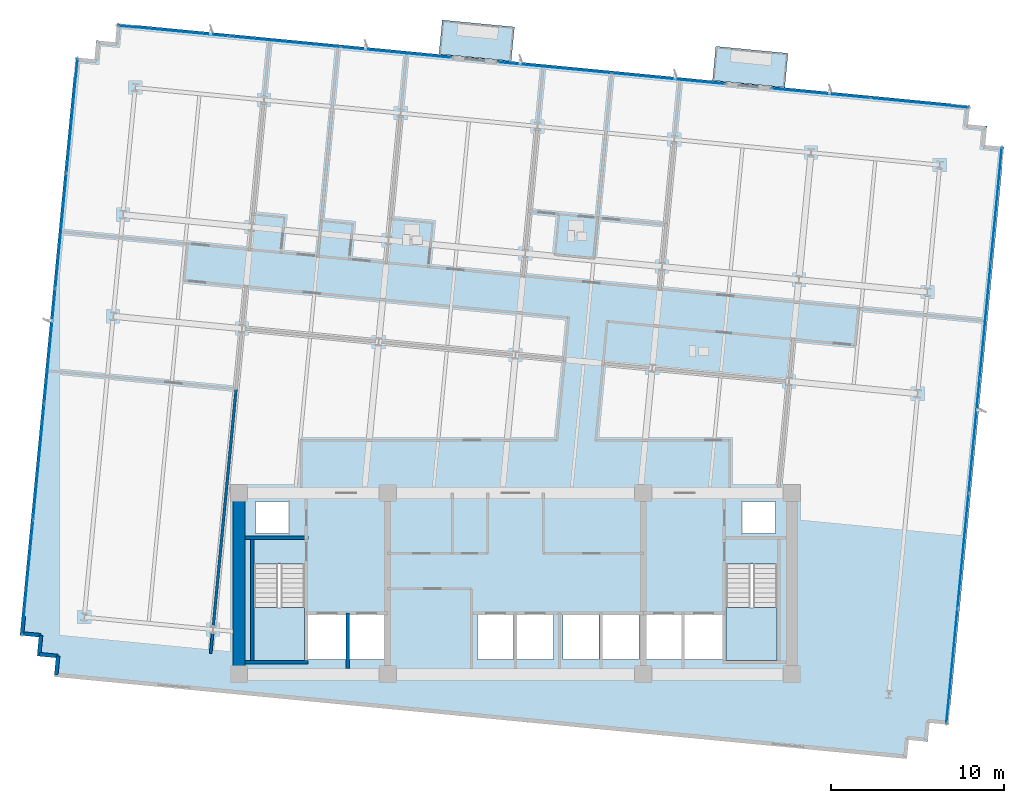
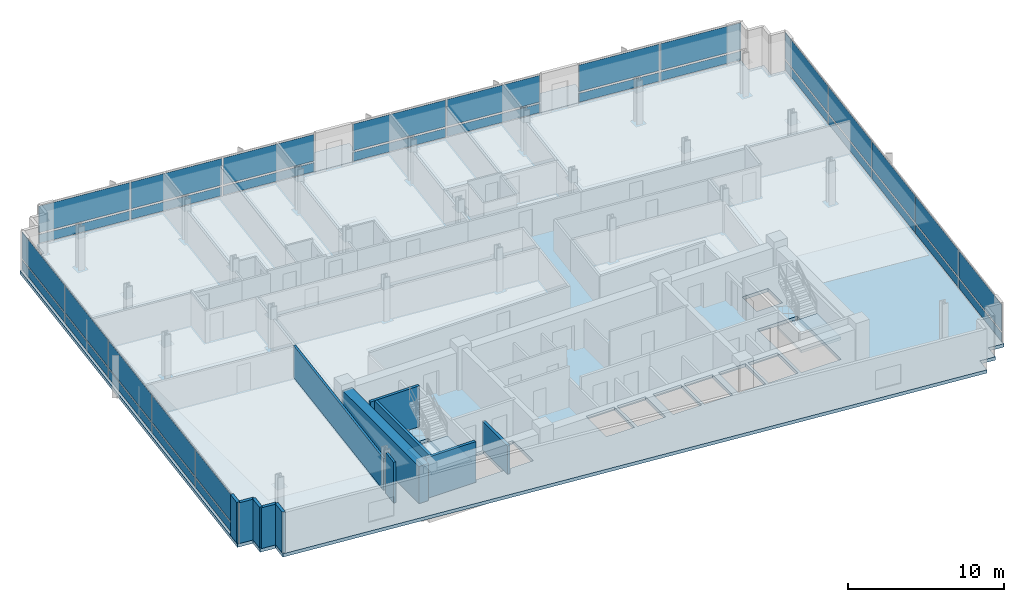
# One storey, part 9 of 17: 34 plates, 12 walls, 5 slabs, 7 elements without a shape of their own.
"""IFC4 building model written with IfcOpenShell, lengths in metres."""

from ifc_helpers import new_model, si_unit, direction, frame, frame_2d, origin, origin_2d, place, context, subcontext, project, spatial, polyline, rectangle, outline, extrude, material, layer, layer_set, type_object, element, aggregate, save


model = new_model("IFC4")

# Units and contexts
model_context = context("Model", 3, precision=1e-05, world=origin(), true_north=direction((0.0, 1.0)))
body_context = subcontext(model_context, "Body", "Model", "MODEL_VIEW")
ifc_project = project(units=[si_unit("LENGTHUNIT", "METRE"), si_unit("AREAUNIT", "SQUARE_METRE"), si_unit("VOLUMEUNIT", "CUBIC_METRE"), si_unit("PLANEANGLEUNIT", "RADIAN"), si_unit("MASSUNIT", "GRAM", prefix="KILO")], contexts=[model_context])

# Site, building, storey
site_placement = place(None, origin())
site = spatial("IfcSite", under=ifc_project, at=site_placement, CompositionType="ELEMENT")
building_placement = place(site_placement, origin())
building = spatial("IfcBuilding", under=site, at=building_placement, Name="Solmavex Isthmus Hotel", CompositionType="ELEMENT")
storey_placement = place(building_placement, frame((0.0, 0.0, 153.14990234375)))
storey = spatial("IfcBuildingStorey", under=building, at=storey_placement, Name="L41", CompositionType="ELEMENT", Elevation=153.14990234375)

# Curtain wall, plates
ifc_material_1 = material(Name="Aluminium alloy 6063-T6", Category="aluminium")
curtain_wall_type = type_object("IfcCurtainWallType", Name="CW-SYS-03", PredefinedType="NOTDEFINED", material=ifc_material_1)
curtain_wall_1_placement = place(storey_placement, origin())
curtain_wall_1 = element("IfcCurtainWall", 1, at=curtain_wall_1_placement, inside=storey, type_object=curtain_wall_type, Name="Stick Curtain Wall CWL-L41-N1", PredefinedType="NOTDEFINED")
ifc_material_2 = material(Name="Clear low-E laminated glass", Category="glass")
ifc_layer_1 = layer(ifc_material_2, 0.030029296875)
ifc_layer_set_1 = layer_set([ifc_layer_1], Name="Clear low-E laminated glass")
plate_type = type_object("IfcPlateType", Name="CW-SYS-03-PNL", PredefinedType="CURTAIN_PANEL", material=ifc_layer_set_1)
plate_1_placement = place(storey_placement, frame((-19.820068359375, 24.256591796875, 0.14013671875), z_axis=(0.0, 0.0, 1.0), x_axis=(0.995396204731, -0.095845686434, 0.0)))
plate_1 = element("IfcPlate", 2, at=plate_1_placement, type_object=plate_type, Name="CW-03 panel 1.1", PredefinedType="CURTAIN_PANEL", context=body_context, shape_type="SweptSolid", body=[
    extrude(rectangle(XDim=6.40234375, YDim=0.030029296875, at=origin_2d()), origin(), (0.0, 0.0, 1.0), 0.68994140625),
])
plate_2_placement = place(storey_placement, frame((-19.820068359375, 24.256591796875, 0.969970703125), z_axis=(0.0, 0.0, 1.0), x_axis=(0.995396204731, -0.095845686434, 0.0)))
plate_2 = element("IfcPlate", 3, at=plate_2_placement, type_object=plate_type, Name="CW-03 panel 1.2", PredefinedType="CURTAIN_PANEL", context=body_context, shape_type="SweptSolid", body=[
    extrude(rectangle(XDim=6.40234375, YDim=0.030029296875, at=origin_2d()), origin(), (0.0, 0.0, 1.0), 2.080078125),
])
plate_3_placement = place(storey_placement, frame((-13.360107421875, 23.634521484375, 0.14013671875), z_axis=(0.0, 0.0, 1.0), x_axis=(0.995396204731, -0.095845686434, 0.0)))
plate_3 = element("IfcPlate", 4, at=plate_3_placement, type_object=plate_type, Name="CW-03 panel 2.1", PredefinedType="CURTAIN_PANEL", context=body_context, shape_type="SweptSolid", body=[
    extrude(rectangle(XDim=6.437255859375, YDim=0.030029296875, at=origin_2d()), origin(), (0.0, 0.0, 1.0), 0.68994140625),
])
plate_4_placement = place(storey_placement, frame((-13.360107421875, 23.634521484375, 0.969970703125), z_axis=(0.0, 0.0, 1.0), x_axis=(0.995396204731, -0.095845686434, 0.0)))
plate_4 = element("IfcPlate", 5, at=plate_4_placement, type_object=plate_type, Name="CW-03 panel 2.2", PredefinedType="CURTAIN_PANEL", context=body_context, shape_type="SweptSolid", body=[
    extrude(rectangle(XDim=6.437255859375, YDim=0.030029296875, at=origin_2d()), origin(), (0.0, 0.0, 1.0), 2.080078125),
])
plate_5_placement = place(storey_placement, frame((-6.900146484375, 23.012451171875, 0.14013671875), z_axis=(0.0, 0.0, 1.0), x_axis=(0.995396204731, -0.095845686434, 0.0)))
plate_5 = element("IfcPlate", 6, at=plate_5_placement, type_object=plate_type, Name="CW-03 panel 3.1", PredefinedType="CURTAIN_PANEL", context=body_context, shape_type="SweptSolid", body=[
    extrude(rectangle(XDim=6.40234375, YDim=0.030029296875, at=origin_2d()), origin(), (0.0, 0.0, 1.0), 0.68994140625),
])
plate_6_placement = place(storey_placement, frame((-6.900146484375, 23.012451171875, 0.969970703125), z_axis=(0.0, 0.0, 1.0), x_axis=(0.995396204731, -0.095845686434, 0.0)))
plate_6 = element("IfcPlate", 7, at=plate_6_placement, type_object=plate_type, Name="CW-03 panel 3.2", PredefinedType="CURTAIN_PANEL", context=body_context, shape_type="SweptSolid", body=[
    extrude(rectangle(XDim=6.40234375, YDim=0.030029296875, at=origin_2d()), origin(), (0.0, 0.0, 1.0), 2.080078125),
])
aggregate(curtain_wall_1, [plate_1, plate_2, plate_3, plate_4, plate_5, plate_6])

curtain_wall_2_placement = place(storey_placement, origin())
curtain_wall_2 = element("IfcCurtainWall", 8, at=curtain_wall_2_placement, inside=storey, type_object=curtain_wall_type, Name="Stick Curtain Wall CWL-L41-N2", PredefinedType="NOTDEFINED")
plate_7_placement = place(storey_placement, frame((2.27392578125, 22.129150390625, 0.14013671875), z_axis=(0.0, 0.0, 1.0), x_axis=(0.995396257521, -0.095845138178, 0.0)))
plate_7 = element("IfcPlate", 9, at=plate_7_placement, type_object=plate_type, Name="CW-03 panel 1.1", PredefinedType="CURTAIN_PANEL", context=body_context, shape_type="SweptSolid", body=[
    extrude(rectangle(XDim=6.551025390625, YDim=0.030029296875, at=origin_2d()), origin(), (0.0, 0.0, 1.0), 0.68994140625),
])
plate_8_placement = place(storey_placement, frame((2.27392578125, 22.129150390625, 0.969970703125), z_axis=(0.0, 0.0, 1.0), x_axis=(0.995396257521, -0.095845138178, 0.0)))
plate_8 = element("IfcPlate", 10, at=plate_8_placement, type_object=plate_type, Name="CW-03 panel 1.2", PredefinedType="CURTAIN_PANEL", context=body_context, shape_type="SweptSolid", body=[
    extrude(rectangle(XDim=6.551025390625, YDim=0.030029296875, at=origin_2d()), origin(), (0.0, 0.0, 1.0), 2.080078125),
])
plate_9_placement = place(storey_placement, frame((8.864501953125, 21.49462890625, 0.14013671875), z_axis=(0.0, 0.0, 1.0), x_axis=(0.995396257521, -0.095845138178, 0.0)))
plate_9 = element("IfcPlate", 11, at=plate_9_placement, type_object=plate_type, Name="CW-03 panel 2.1", PredefinedType="CURTAIN_PANEL", context=body_context, shape_type="SweptSolid", body=[
    extrude(rectangle(XDim=6.551025390625, YDim=0.030029296875, at=origin_2d()), origin(), (0.0, 0.0, 1.0), 0.68994140625),
])
plate_10_placement = place(storey_placement, frame((8.864501953125, 21.49462890625, 0.969970703125), z_axis=(0.0, 0.0, 1.0), x_axis=(0.995396257521, -0.095845138178, 0.0)))
plate_10 = element("IfcPlate", 12, at=plate_10_placement, type_object=plate_type, Name="CW-03 panel 2.2", PredefinedType="CURTAIN_PANEL", context=body_context, shape_type="SweptSolid", body=[
    extrude(rectangle(XDim=6.551025390625, YDim=0.030029296875, at=origin_2d()), origin(), (0.0, 0.0, 1.0), 2.080078125),
])
aggregate(curtain_wall_2, [plate_7, plate_8, plate_9, plate_10])

curtain_wall_3_placement = place(storey_placement, origin())
curtain_wall_3 = element("IfcCurtainWall", 13, at=curtain_wall_3_placement, inside=storey, type_object=curtain_wall_type, Name="Stick Curtain Wall CWL-L41-N3", PredefinedType="NOTDEFINED")
plate_11_placement = place(storey_placement, frame((17.67822265625, 20.645751953125, 0.14013671875), z_axis=(0.0, 0.0, 1.0), x_axis=(0.995396212717, -0.095845603495, 0.0)))
plate_11 = element("IfcPlate", 14, at=plate_11_placement, type_object=plate_type, Name="CW-03 panel 1.1", PredefinedType="CURTAIN_PANEL", context=body_context, shape_type="SweptSolid", body=[
    extrude(rectangle(XDim=5.677978515625, YDim=0.030029296875, at=origin_2d()), origin(), (0.0, 0.0, 1.0), 0.68994140625),
])
plate_12_placement = place(storey_placement, frame((17.67822265625, 20.645751953125, 0.969970703125), z_axis=(0.0, 0.0, 1.0), x_axis=(0.995396212717, -0.095845603495, 0.0)))
plate_12 = element("IfcPlate", 15, at=plate_12_placement, type_object=plate_type, Name="CW-03 panel 1.2", PredefinedType="CURTAIN_PANEL", context=body_context, shape_type="SweptSolid", body=[
    extrude(rectangle(XDim=5.677978515625, YDim=0.030029296875, at=origin_2d()), origin(), (0.0, 0.0, 1.0), 2.080078125),
])
plate_13_placement = place(storey_placement, frame((23.39990234375, 20.094970703125, 0.14013671875), z_axis=(0.0, 0.0, 1.0), x_axis=(0.995396212717, -0.095845603495, 0.0)))
plate_13 = element("IfcPlate", 16, at=plate_13_placement, type_object=plate_type, Name="CW-03 panel 2.1", PredefinedType="CURTAIN_PANEL", context=body_context, shape_type="SweptSolid", body=[
    extrude(rectangle(XDim=5.677978515625, YDim=0.030029296875, at=origin_2d()), origin(), (0.0, 0.0, 1.0), 0.68994140625),
])
plate_14_placement = place(storey_placement, frame((23.39990234375, 20.094970703125, 0.969970703125), z_axis=(0.0, 0.0, 1.0), x_axis=(0.995396212717, -0.095845603495, 0.0)))
plate_14 = element("IfcPlate", 17, at=plate_14_placement, type_object=plate_type, Name="CW-03 panel 2.2", PredefinedType="CURTAIN_PANEL", context=body_context, shape_type="SweptSolid", body=[
    extrude(rectangle(XDim=5.677978515625, YDim=0.030029296875, at=origin_2d()), origin(), (0.0, 0.0, 1.0), 2.080078125),
])
aggregate(curtain_wall_3, [plate_11, plate_12, plate_13, plate_14])

curtain_wall_4_placement = place(storey_placement, origin())
curtain_wall_4 = element("IfcCurtainWall", 18, at=curtain_wall_4_placement, inside=storey, type_object=curtain_wall_type, Name="Stick Curtain Wall CWL-L41-W1", PredefinedType="NOTDEFINED")
plate_15_placement = place(storey_placement, frame((-28.24267578125, -7.38427734375, 0.14013671875), z_axis=(0.0, 0.0, 1.0), x_axis=(0.09584583902, 0.995396190038, 0.0)))
plate_15 = element("IfcPlate", 19, at=plate_15_placement, type_object=plate_type, Name="CW-03 panel 1.1", PredefinedType="CURTAIN_PANEL", context=body_context, shape_type="SweptSolid", body=[
    extrude(rectangle(XDim=6.614990234375, YDim=0.030029296875, at=origin_2d()), origin(), (0.0, 0.0, 1.0), 0.68994140625),
])
plate_16_placement = place(storey_placement, frame((-28.24267578125, -7.38427734375, 0.969970703125), z_axis=(0.0, 0.0, 1.0), x_axis=(0.09584583902, 0.995396190038, 0.0)))
plate_16 = element("IfcPlate", 20, at=plate_16_placement, type_object=plate_type, Name="CW-03 panel 1.2", PredefinedType="CURTAIN_PANEL", context=body_context, shape_type="SweptSolid", body=[
    extrude(rectangle(XDim=6.614990234375, YDim=0.030029296875, at=origin_2d()), origin(), (0.0, 0.0, 1.0), 2.080078125),
])
plate_17_placement = place(storey_placement, frame((-27.600341796875, -0.712646484375, 0.14013671875), z_axis=(0.0, 0.0, 1.0), x_axis=(0.09584583902, 0.995396190038, 0.0)))
plate_17 = element("IfcPlate", 21, at=plate_17_placement, type_object=plate_type, Name="CW-03 panel 2.1", PredefinedType="CURTAIN_PANEL", context=body_context, shape_type="SweptSolid", body=[
    extrude(rectangle(XDim=6.64990234375, YDim=0.030029296875, at=origin_2d()), origin(), (0.0, 0.0, 1.0), 0.68994140625),
])
plate_18_placement = place(storey_placement, frame((-27.600341796875, -0.712646484375, 0.969970703125), z_axis=(0.0, 0.0, 1.0), x_axis=(0.09584583902, 0.995396190038, 0.0)))
plate_18 = element("IfcPlate", 22, at=plate_18_placement, type_object=plate_type, Name="CW-03 panel 2.2", PredefinedType="CURTAIN_PANEL", context=body_context, shape_type="SweptSolid", body=[
    extrude(rectangle(XDim=6.64990234375, YDim=0.030029296875, at=origin_2d()), origin(), (0.0, 0.0, 1.0), 2.080078125),
])
plate_19_placement = place(storey_placement, frame((-26.956298828125, 5.976318359375, 0.14013671875), z_axis=(0.0, 0.0, 1.0), x_axis=(0.09584583902, 0.995396190038, 0.0)))
plate_19 = element("IfcPlate", 23, at=plate_19_placement, type_object=plate_type, Name="CW-03 panel 3.1", PredefinedType="CURTAIN_PANEL", context=body_context, shape_type="SweptSolid", body=[
    extrude(rectangle(XDim=6.64990234375, YDim=0.030029296875, at=origin_2d()), origin(), (0.0, 0.0, 1.0), 0.68994140625),
])
plate_20_placement = place(storey_placement, frame((-26.956298828125, 5.976318359375, 0.969970703125), z_axis=(0.0, 0.0, 1.0), x_axis=(0.09584583902, 0.995396190038, 0.0)))
plate_20 = element("IfcPlate", 24, at=plate_20_placement, type_object=plate_type, Name="CW-03 panel 3.2", PredefinedType="CURTAIN_PANEL", context=body_context, shape_type="SweptSolid", body=[
    extrude(rectangle(XDim=6.64990234375, YDim=0.030029296875, at=origin_2d()), origin(), (0.0, 0.0, 1.0), 2.080078125),
])
plate_21_placement = place(storey_placement, frame((-26.312255859375, 12.665283203125, 0.14013671875), z_axis=(0.0, 0.0, 1.0), x_axis=(0.09584583902, 0.995396190038, 0.0)))
plate_21 = element("IfcPlate", 25, at=plate_21_placement, type_object=plate_type, Name="CW-03 panel 4.1", PredefinedType="CURTAIN_PANEL", context=body_context, shape_type="SweptSolid", body=[
    extrude(rectangle(XDim=6.64990234375, YDim=0.030029296875, at=origin_2d()), origin(), (0.0, 0.0, 1.0), 0.68994140625),
])
plate_22_placement = place(storey_placement, frame((-26.312255859375, 12.665283203125, 0.969970703125), z_axis=(0.0, 0.0, 1.0), x_axis=(0.09584583902, 0.995396190038, 0.0)))
plate_22 = element("IfcPlate", 26, at=plate_22_placement, type_object=plate_type, Name="CW-03 panel 4.2", PredefinedType="CURTAIN_PANEL", context=body_context, shape_type="SweptSolid", body=[
    extrude(rectangle(XDim=6.64990234375, YDim=0.030029296875, at=origin_2d()), origin(), (0.0, 0.0, 1.0), 2.080078125),
])
plate_23_placement = place(storey_placement, frame((-25.669677734375, 19.337158203125, 0.14013671875), z_axis=(0.0, 0.0, 1.0), x_axis=(0.09584583902, 0.995396190038, 0.0)))
plate_23 = element("IfcPlate", 27, at=plate_23_placement, type_object=plate_type, Name="CW-03 panel 5.1", PredefinedType="CURTAIN_PANEL", context=body_context, shape_type="SweptSolid", body=[
    extrude(rectangle(XDim=6.614990234375, YDim=0.030029296875, at=origin_2d()), origin(), (0.0, 0.0, 1.0), 0.68994140625),
])
plate_24_placement = place(storey_placement, frame((-25.669677734375, 19.337158203125, 0.969970703125), z_axis=(0.0, 0.0, 1.0), x_axis=(0.09584583902, 0.995396190038, 0.0)))
plate_24 = element("IfcPlate", 28, at=plate_24_placement, type_object=plate_type, Name="CW-03 panel 5.2", PredefinedType="CURTAIN_PANEL", context=body_context, shape_type="SweptSolid", body=[
    extrude(rectangle(XDim=6.614990234375, YDim=0.030029296875, at=origin_2d()), origin(), (0.0, 0.0, 1.0), 2.080078125),
])
aggregate(curtain_wall_4, [plate_15, plate_16, plate_17, plate_18, plate_19, plate_20, plate_21, plate_22, plate_23, plate_24])

curtain_wall_5_placement = place(storey_placement, origin())
curtain_wall_5 = element("IfcCurtainWall", 29, at=curtain_wall_5_placement, inside=storey, type_object=curtain_wall_type, Name="Stick Curtain Wall CWL-L41-E1", PredefinedType="NOTDEFINED")
plate_25_placement = place(storey_placement, frame((25.269775390625, -12.537109375, 0.14013671875), z_axis=(0.0, 0.0, 1.0), x_axis=(0.09584583902, 0.995396190038, 0.0)))
plate_25 = element("IfcPlate", 30, at=plate_25_placement, type_object=plate_type, Name="CW-03 panel 1.1", PredefinedType="CURTAIN_PANEL", context=body_context, shape_type="SweptSolid", body=[
    extrude(rectangle(XDim=6.614990234375, YDim=0.030029296875, at=origin_2d()), origin(), (0.0, 0.0, 1.0), 0.68994140625),
])
plate_26_placement = place(storey_placement, frame((25.269775390625, -12.537109375, 0.969970703125), z_axis=(0.0, 0.0, 1.0), x_axis=(0.09584583902, 0.995396190038, 0.0)))
plate_26 = element("IfcPlate", 31, at=plate_26_placement, type_object=plate_type, Name="CW-03 panel 1.2", PredefinedType="CURTAIN_PANEL", context=body_context, shape_type="SweptSolid", body=[
    extrude(rectangle(XDim=6.614990234375, YDim=0.030029296875, at=origin_2d()), origin(), (0.0, 0.0, 1.0), 2.080078125),
])
plate_27_placement = place(storey_placement, frame((25.912109375, -5.865478515625, 0.14013671875), z_axis=(0.0, 0.0, 1.0), x_axis=(0.09584583902, 0.995396190038, 0.0)))
plate_27 = element("IfcPlate", 32, at=plate_27_placement, type_object=plate_type, Name="CW-03 panel 2.1", PredefinedType="CURTAIN_PANEL", context=body_context, shape_type="SweptSolid", body=[
    extrude(rectangle(XDim=6.64990234375, YDim=0.030029296875, at=origin_2d()), origin(), (0.0, 0.0, 1.0), 0.68994140625),
])
plate_28_placement = place(storey_placement, frame((25.912109375, -5.865478515625, 0.969970703125), z_axis=(0.0, 0.0, 1.0), x_axis=(0.09584583902, 0.995396190038, 0.0)))
plate_28 = element("IfcPlate", 33, at=plate_28_placement, type_object=plate_type, Name="CW-03 panel 2.2", PredefinedType="CURTAIN_PANEL", context=body_context, shape_type="SweptSolid", body=[
    extrude(rectangle(XDim=6.64990234375, YDim=0.030029296875, at=origin_2d()), origin(), (0.0, 0.0, 1.0), 2.080078125),
])
plate_29_placement = place(storey_placement, frame((26.55615234375, 0.82373046875, 0.14013671875), z_axis=(0.0, 0.0, 1.0), x_axis=(0.09584583902, 0.995396190038, 0.0)))
plate_29 = element("IfcPlate", 34, at=plate_29_placement, type_object=plate_type, Name="CW-03 panel 3.1", PredefinedType="CURTAIN_PANEL", context=body_context, shape_type="SweptSolid", body=[
    extrude(rectangle(XDim=6.64990234375, YDim=0.030029296875, at=origin_2d()), origin(), (0.0, 0.0, 1.0), 0.68994140625),
])
plate_30_placement = place(storey_placement, frame((26.55615234375, 0.82373046875, 0.969970703125), z_axis=(0.0, 0.0, 1.0), x_axis=(0.09584583902, 0.995396190038, 0.0)))
plate_30 = element("IfcPlate", 35, at=plate_30_placement, type_object=plate_type, Name="CW-03 panel 3.2", PredefinedType="CURTAIN_PANEL", context=body_context, shape_type="SweptSolid", body=[
    extrude(rectangle(XDim=6.64990234375, YDim=0.030029296875, at=origin_2d()), origin(), (0.0, 0.0, 1.0), 2.080078125),
])
plate_31_placement = place(storey_placement, frame((27.200439453125, 7.5126953125, 0.14013671875), z_axis=(0.0, 0.0, 1.0), x_axis=(0.09584583902, 0.995396190038, 0.0)))
plate_31 = element("IfcPlate", 36, at=plate_31_placement, type_object=plate_type, Name="CW-03 panel 4.1", PredefinedType="CURTAIN_PANEL", context=body_context, shape_type="SweptSolid", body=[
    extrude(rectangle(XDim=6.64990234375, YDim=0.030029296875, at=origin_2d()), origin(), (0.0, 0.0, 1.0), 0.68994140625),
])
plate_32_placement = place(storey_placement, frame((27.200439453125, 7.5126953125, 0.969970703125), z_axis=(0.0, 0.0, 1.0), x_axis=(0.09584583902, 0.995396190038, 0.0)))
plate_32 = element("IfcPlate", 37, at=plate_32_placement, type_object=plate_type, Name="CW-03 panel 4.2", PredefinedType="CURTAIN_PANEL", context=body_context, shape_type="SweptSolid", body=[
    extrude(rectangle(XDim=6.64990234375, YDim=0.030029296875, at=origin_2d()), origin(), (0.0, 0.0, 1.0), 2.080078125),
])
plate_33_placement = place(storey_placement, frame((27.8427734375, 14.184326171875, 0.14013671875), z_axis=(0.0, 0.0, 1.0), x_axis=(0.09584583902, 0.995396190038, 0.0)))
plate_33 = element("IfcPlate", 38, at=plate_33_placement, type_object=plate_type, Name="CW-03 panel 5.1", PredefinedType="CURTAIN_PANEL", context=body_context, shape_type="SweptSolid", body=[
    extrude(rectangle(XDim=6.614990234375, YDim=0.030029296875, at=origin_2d()), origin(), (0.0, 0.0, 1.0), 0.68994140625),
])
plate_34_placement = place(storey_placement, frame((27.8427734375, 14.184326171875, 0.969970703125), z_axis=(0.0, 0.0, 1.0), x_axis=(0.09584583902, 0.995396190038, 0.0)))
plate_34 = element("IfcPlate", 39, at=plate_34_placement, type_object=plate_type, Name="CW-03 panel 5.2", PredefinedType="CURTAIN_PANEL", context=body_context, shape_type="SweptSolid", body=[
    extrude(rectangle(XDim=6.614990234375, YDim=0.030029296875, at=origin_2d()), origin(), (0.0, 0.0, 1.0), 2.080078125),
])
aggregate(curtain_wall_5, [plate_25, plate_26, plate_27, plate_28, plate_29, plate_30, plate_31, plate_32, plate_33, plate_34])

# Slabs
ifc_material_3 = material(Name="Concrete C40/50", Category="concrete")
ifc_layer_2 = layer(ifc_material_3, 0.239990234375)
ifc_layer_set_2 = layer_set([ifc_layer_2], Name="Concrete C40/50")
slab_type_1 = type_object("IfcSlabType", Name="SLAB-BALC-240", PredefinedType="FLOOR", material=ifc_layer_set_2)
slab_1_placement = place(storey_placement, frame((0.0, 0.0, -0.239990234375)))
element("IfcSlab", 40, at=slab_1_placement, inside=storey, type_object=slab_type_1, Name="Tree-Planter Balcony Slab L41-B1", PredefinedType="FLOOR", context=body_context, shape_type="SweptSolid", body=[
    extrude(outline(polyline([(-4.427490234375, 22.909912109375), (-0.246826171875, 22.507568359375), (-0.056640625, 24.4833984375), (-4.2373046875, 24.885986328125), (-4.427490234375, 22.909912109375)])), origin(), (0.0, 0.0, 1.0), 0.239990234375),
])
slab_2_placement = place(storey_placement, frame((0.0, 0.0, -0.239990234375)))
element("IfcSlab", 41, at=slab_2_placement, inside=storey, type_object=slab_type_1, Name="Tree-Planter Balcony Slab L41-B2", PredefinedType="FLOOR", context=body_context, shape_type="SweptSolid", body=[
    extrude(outline(polyline([(11.4111328125, 21.385009765625), (15.591796875, 20.982421875), (15.7822265625, 22.958251953125), (11.6015625, 23.36083984375), (11.4111328125, 21.385009765625)])), origin(), (0.0, 0.0, 1.0), 0.239990234375),
])
ifc_layer_3 = layer(ifc_material_3, 0.260009765625)
ifc_layer_set_3 = layer_set([ifc_layer_3], Name="Concrete C40/50")
slab_type_2 = type_object("IfcSlabType", Name="SLAB-TYP-260", PredefinedType="FLOOR", material=ifc_layer_set_3)
slab_3_placement = place(storey_placement, frame((0.0, 0.0, -0.260009765625)))
element("IfcSlab", 42, at=slab_3_placement, inside=storey, type_object=slab_type_2, Name="Tower Structural Floor Slab L41", PredefinedType="FLOOR", context=body_context, shape_type="SweptSolid", body=[
    extrude(outline(polyline([(-25.612060546875, -13.240966796875), (21.56982421875, -17.7841796875), (22.664794921875, -17.889404296875), (22.770263671875, -16.794677734375), (23.865234375, -16.89990234375), (23.970458984375, -15.80517578125), (25.0654296875, -15.910400390625), (25.1708984375, -14.815673828125), (28.180419921875, 16.43994140625), (28.285888671875, 17.534912109375), (27.19091796875, 17.64013671875), (27.29638671875, 18.735107421875), (26.201416015625, 18.840576171875), (26.306884765625, 19.935546875), (25.2119140625, 20.041015625), (-21.9697265625, 24.583984375), (-23.064697265625, 24.689453125), (-23.170166015625, 23.594482421875), (-24.26513671875, 23.699951171875), (-24.37060546875, 22.60498046875), (-25.465576171875, 22.71044921875), (-25.57080078125, 21.615478515625), (-28.58056640625, -9.639892578125), (-28.685791015625, -10.73486328125), (-27.591064453125, -10.84033203125), (-27.6962890625, -11.935302734375), (-26.6015625, -12.04052734375), (-26.706787109375, -13.135498046875), (-25.612060546875, -13.240966796875)]), holes=[polyline([(-15.14990234375, -6.617919921875), (-15.14990234375, -12.199951171875), (-12.199951171875, -12.199951171875), (-12.199951171875, -6.617919921875), (-15.14990234375, -6.617919921875)]), polyline([(12.199951171875, -6.617919921875), (12.199951171875, -12.199951171875), (15.14990234375, -12.199951171875), (15.14990234375, -6.617919921875), (12.199951171875, -6.617919921875)]), polyline([(-12.0, -12.14990234375), (-9.800048828125, -12.14990234375), (-9.800048828125, -9.550048828125), (-12.0, -9.550048828125), (-12.0, -12.14990234375)]), polyline([(9.800048828125, -12.14990234375), (12.0, -12.14990234375), (12.0, -9.550048828125), (9.800048828125, -9.550048828125), (9.800048828125, -12.14990234375)]), polyline([(-9.60009765625, -12.14990234375), (-7.60009765625, -12.14990234375), (-7.60009765625, -9.550048828125), (-9.60009765625, -9.550048828125), (-9.60009765625, -12.14990234375)]), polyline([(7.60009765625, -12.14990234375), (9.60009765625, -12.14990234375), (9.60009765625, -9.550048828125), (7.60009765625, -9.550048828125), (7.60009765625, -12.14990234375)]), polyline([(-2.199951171875, -12.14990234375), (-0.10009765625, -12.14990234375), (-0.10009765625, -9.550048828125), (-2.199951171875, -9.550048828125), (-2.199951171875, -12.14990234375)]), polyline([(0.10009765625, -12.14990234375), (2.199951171875, -12.14990234375), (2.199951171875, -9.550048828125), (0.10009765625, -9.550048828125), (0.10009765625, -12.14990234375)]), polyline([(2.75, -12.14990234375), (4.85009765625, -12.14990234375), (4.85009765625, -9.550048828125), (2.75, -9.550048828125), (2.75, -12.14990234375)]), polyline([(5.050048828125, -12.14990234375), (7.14990234375, -12.14990234375), (7.14990234375, -9.550048828125), (5.050048828125, -9.550048828125), (5.050048828125, -12.14990234375)]), polyline([(-15.050048828125, -4.85009765625), (-13.14990234375, -4.85009765625), (-13.14990234375, -3.0), (-15.050048828125, -3.0), (-15.050048828125, -4.85009765625)]), polyline([(13.14990234375, -4.85009765625), (15.050048828125, -4.85009765625), (15.050048828125, -3.0), (13.14990234375, -3.0), (13.14990234375, -4.85009765625)])]), origin(), (0.0, 0.0, 1.0), 0.260009765625),
])

# Stair, slab
stair_type_1 = type_object("IfcStairType", Name="STR-ST-1", PredefinedType="HALF_TURN_STAIR", material=ifc_material_3)
stair_1_placement = place(storey_placement, origin())
stair_1 = element("IfcStair", 43, at=stair_1_placement, inside=storey, type_object=stair_type_1, Name="L41 Protected Exit Stair ST-1", PredefinedType="HALF_TURN_STAIR")
ifc_layer_4 = layer(ifc_material_3, 0.219970703125)
ifc_layer_set_4 = layer_set([ifc_layer_4], Name="Concrete C40/50")
slab_type_3 = type_object("IfcSlabType", Name="SLD-ST-1", PredefinedType="LANDING", material=ifc_layer_set_4)
slab_4_placement = place(storey_placement, frame((0.0, 0.0, 1.525146484375)))
slab_4 = element("IfcSlab", 44, at=slab_4_placement, type_object=slab_type_3, Name="ST-1 landing 1", PredefinedType="LANDING", context=body_context, shape_type="SweptSolid", body=[
    extrude(outline(polyline([(-15.14990234375, -9.1201171875), (-15.14990234375, -12.199951171875), (-12.199951171875, -12.199951171875), (-12.199951171875, -9.1201171875), (-15.14990234375, -9.1201171875)])), origin(), (0.0, 0.0, 1.0), 0.199951171875),
])
aggregate(stair_1, [slab_4])

stair_type_2 = type_object("IfcStairType", Name="STR-ST-2", PredefinedType="HALF_TURN_STAIR", material=ifc_material_3)
stair_2_placement = place(storey_placement, origin())
stair_2 = element("IfcStair", 45, at=stair_2_placement, inside=storey, type_object=stair_type_2, Name="L41 Protected Exit Stair ST-2", PredefinedType="HALF_TURN_STAIR")
ifc_layer_5 = layer(ifc_material_3, 0.219970703125)
ifc_layer_set_5 = layer_set([ifc_layer_5], Name="Concrete C40/50")
slab_type_4 = type_object("IfcSlabType", Name="SLD-ST-2", PredefinedType="LANDING", material=ifc_layer_set_5)
slab_5_placement = place(storey_placement, frame((0.0, 0.0, 1.525146484375)))
slab_5 = element("IfcSlab", 46, at=slab_5_placement, type_object=slab_type_4, Name="ST-2 landing 1", PredefinedType="LANDING", context=body_context, shape_type="SweptSolid", body=[
    extrude(outline(polyline([(12.199951171875, -9.1201171875), (12.199951171875, -12.199951171875), (15.14990234375, -12.199951171875), (15.14990234375, -9.1201171875), (12.199951171875, -9.1201171875)])), origin(), (0.0, 0.0, 1.0), 0.199951171875),
])
aggregate(stair_2, [slab_5])

# Walls
ifc_material_4 = material(Name="Precast Concrete C40/50", Category="concrete")
ifc_layer_6 = layer(ifc_material_4, 0.25)
ifc_layer_set_6 = layer_set([ifc_layer_6], Name="Precast Concrete C40/50")
wall_type_1 = type_object("IfcWallType", Name="EW-TWR-250", PredefinedType="STANDARD", material=ifc_layer_set_6)
for number, where, z_axis, x_axis, name in (
    (47, (-26.5869140625, -13.03662109375, 0.0), (0.0, 0.0, 1.0), (0.095877334176, 0.995393156894, 0.0), "Serrated Corner Facade Panel L41-01"),
    (48, (-26.4814453125, -11.941650390625, 0.0), (0.0, 0.0, 1.0), (-0.995393156894, 0.095877334176, 0.0), "Serrated Corner Facade Panel L41-02"),
    (49, (-27.576416015625, -11.836181640625, 0.0), (0.0, 0.0, 1.0), (0.095877334176, 0.995393156894, 0.0), "Serrated Corner Facade Panel L41-03"),
    (50, (-27.470947265625, -10.7412109375, 0.0), (0.0, 0.0, 1.0), (-0.995414313875, 0.095657429048, 0.0), "Serrated Corner Facade Panel L41-04"),
):
    element("IfcWall", number, at=place(storey_placement, frame(where, z_axis=z_axis, x_axis=x_axis)), inside=storey, type_object=wall_type_1, Name=name, PredefinedType="STANDARD", context=body_context, shape_type="SweptSolid", body=[
        extrude(rectangle(XDim=1.10009765625, YDim=0.219970703125, at=frame_2d((0.550048828125, 0.0))), origin(), (0.0, 0.0, 1.0), 3.190185546875),
    ])
wall_1_placement = place(storey_placement, frame((-28.56591796875, -10.635986328125, 0.0), z_axis=(0.0, 0.0, 1.0), x_axis=(0.095914428506, 0.995389583231, 0.0)))
element("IfcWall", 51, at=wall_1_placement, inside=storey, type_object=wall_type_1, Name="Serrated Corner Facade Panel L41-05", PredefinedType="STANDARD", context=body_context, shape_type="SweptSolid", body=[
    extrude(rectangle(XDim=0.990234375, YDim=0.219970703125, at=frame_2d((0.4951171875, 0.0))), origin(), (0.0, 0.0, 1.0), 3.190185546875),
])
ifc_material_5 = material(Name="Gypsum plasterboard lining", Category="gypsum")
ifc_layer_7 = layer(ifc_material_5, 0.159912109375)
ifc_layer_set_7 = layer_set([ifc_layer_7], Name="Gypsum plasterboard lining")
wall_type_2 = type_object("IfcWallType", Name="IW-COMP-160", PredefinedType="PARTITIONING", material=ifc_layer_set_7)
wall_2_placement = place(storey_placement, frame((-17.64794921875, -11.78759765625, 0.0), z_axis=(0.0, 0.0, 1.0), x_axis=(0.095720070118, 0.995408292198, 0.0)))
element("IfcWall", 52, at=wall_2_placement, inside=storey, type_object=wall_type_2, Name="Interior Partition Wall W-L41-P066", PredefinedType="PARTITIONING", context=body_context, shape_type="SweptSolid", body=[
    extrude(rectangle(XDim=1.214111328125, YDim=0.159912109375, at=frame_2d((0.60693359375, 0.0))), origin(), (0.0, 0.0, 1.0), 3.190185546875),
])
wall_3_placement = place(storey_placement, frame((-17.497802734375, -10.228759765625, 0.0), z_axis=(0.0, 0.0, 1.0), x_axis=(0.095840531094, 0.99539670112, 0.0)))
element("IfcWall", 53, at=wall_3_placement, inside=storey, type_object=wall_type_2, Name="Interior Partition Wall W-L41-P067", PredefinedType="PARTITIONING", context=body_context, shape_type="SweptSolid", body=[
    extrude(rectangle(XDim=13.906005859375, YDim=0.159912109375, at=frame_2d((6.953125, 0.0))), origin(), (0.0, 0.0, 1.0), 2.4794921875),
])
ifc_layer_8 = layer(ifc_material_3, 0.199951171875)
ifc_layer_set_8 = layer_set([ifc_layer_8], Name="Concrete C40/50")
wall_type_3 = type_object("IfcWallType", Name="IW-SHAFT-200", PredefinedType="PARTITIONING", material=ifc_layer_set_8)
wall_4_placement = place(storey_placement, frame((-9.699951171875, -12.64990234375, 0.0), z_axis=(0.0, 0.0, 1.0), x_axis=(0.0, 1.0, 0.0)))
element("IfcWall", 54, at=wall_4_placement, inside=storey, type_object=wall_type_3, Name="Interior Partition Wall W-L41-FFLW-M", PredefinedType="PARTITIONING", context=body_context, shape_type="SweptSolid", body=[
    extrude(rectangle(XDim=3.199951171875, YDim=0.199951171875, at=frame_2d((1.60009765625, 0.0))), origin(), (0.0, 0.0, 1.0), 2.22509765625),
])
ifc_material_6 = material(Name="Concrete C60/75", Category="concrete")
ifc_layer_9 = layer(ifc_material_6, 0.699951171875)
ifc_layer_set_9 = layer_set([ifc_layer_9], Name="Concrete C60/75")
wall_type_4 = type_object("IfcWallType", Name="WALL-CW-700", PredefinedType="SHEAR", material=ifc_layer_set_9)
wall_5_placement = place(storey_placement, frame((-16.0, -12.64990234375, 0.0), z_axis=(0.0, 0.0, 1.0), x_axis=(0.0, 1.0, 0.0)))
element("IfcWall", 55, at=wall_5_placement, inside=storey, type_object=wall_type_4, Name="Core Shear Wall West L41", PredefinedType="SHEAR", context=body_context, shape_type="SweptSolid", body=[
    extrude(rectangle(XDim=9.7998046875, YDim=0.699951171875, at=frame_2d((4.89990234375, 0.0))), origin(), (0.0, 0.0, 1.0), 2.91015625),
])
ifc_layer_10 = layer(ifc_material_3, 0.199951171875)
ifc_layer_set_10 = layer_set([ifc_layer_10], Name="Concrete C40/50")
wall_type_5 = type_object("IfcWallType", Name="WALL-SW-200", PredefinedType="SOLIDWALL", material=ifc_layer_set_10)
for number, where, z_axis, x_axis, name in (
    (56, (-15.64990234375, -12.300048828125, 0.0), (0.0, 0.0, 1.0), (1.0, 0.0, 0.0), "Stairwell Structural Wall SW-L41-ST1-S"),
    (57, (-15.64990234375, -5.10009765625, 0.0), (0.0, 0.0, 1.0), (1.0, 0.0, 0.0), "Stairwell Structural Wall SW-L41-ST1-N"),
):
    element("IfcWall", number, at=place(storey_placement, frame(where, z_axis=z_axis, x_axis=x_axis)), inside=storey, type_object=wall_type_5, Name=name, PredefinedType="SOLIDWALL", context=body_context, shape_type="SweptSolid", body=[
        extrude(rectangle(XDim=3.64990234375, YDim=0.199951171875, at=frame_2d((1.824951171875, 0.0))), origin(), (0.0, 0.0, 1.0), 3.190185546875),
    ])
wall_6_placement = place(storey_placement, frame((-15.25, -12.199951171875, 0.0), z_axis=(0.0, 0.0, 1.0), x_axis=(0.0, 1.0, 0.0)))
element("IfcWall", 58, at=wall_6_placement, inside=storey, type_object=wall_type_5, Name="Stairwell Structural Wall SW-L41-ST1-W", PredefinedType="SOLIDWALL", context=body_context, shape_type="SweptSolid", body=[
    extrude(rectangle(XDim=7.0, YDim=0.199951171875, at=frame_2d((3.5, 0.0))), origin(), (0.0, 0.0, 1.0), 3.190185546875),
])

save(model, "model.ifc")
